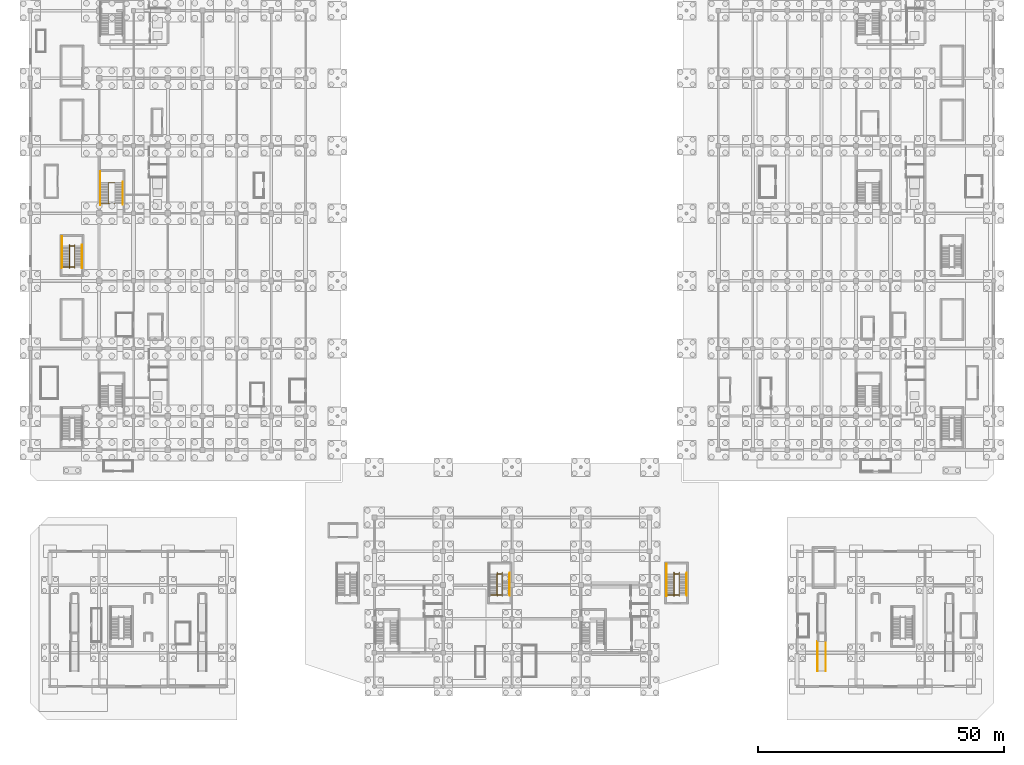
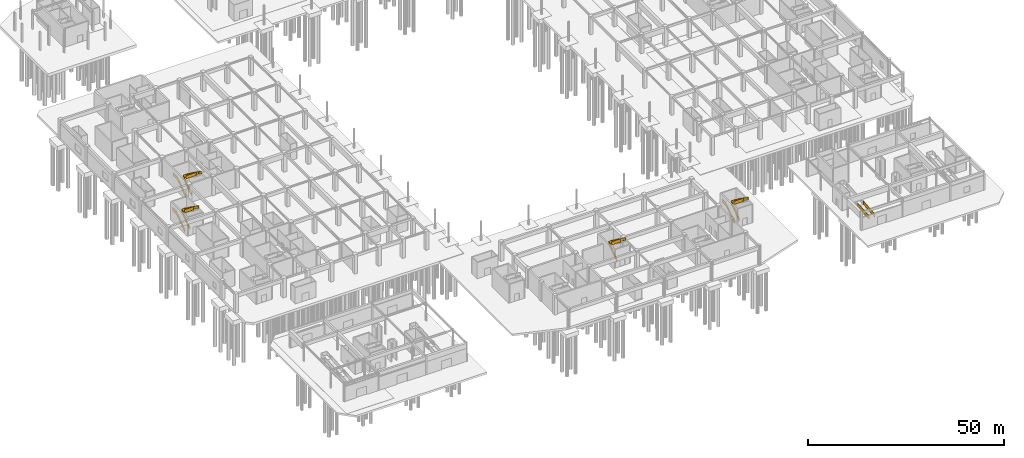
# One storey, part 57 of 62: 13 railings.
"""IFC4 building model written with IfcOpenShell, lengths in metres."""

from ifc_helpers import new_model, si_unit, direction, frame, origin, origin_2d, place, context, subcontext, project, spatial, rectangle, extrude, material, type_object, element, save


model = new_model("IFC4")

# Units and contexts
model_context = context("Model", 3, precision=1e-05, world=origin(), true_north=direction((0.0, 1.0)))
body_context = subcontext(model_context, "Body", "Model", "MODEL_VIEW")
ifc_project = project(units=[si_unit("LENGTHUNIT", "METRE"), si_unit("AREAUNIT", "SQUARE_METRE"), si_unit("VOLUMEUNIT", "CUBIC_METRE"), si_unit("PLANEANGLEUNIT", "RADIAN"), si_unit("MASSUNIT", "GRAM", prefix="KILO")], contexts=[model_context])

# Site, building, storey
site_placement = place(None, origin())
site = spatial("IfcSite", under=ifc_project, at=site_placement, CompositionType="ELEMENT")
building_placement = place(site_placement, origin())
building = spatial("IfcBuilding", under=site, at=building_placement, Name="Linyun Crest Stadium", CompositionType="ELEMENT")
storey_placement = place(building_placement, frame((0.0, 0.0, -6.0)))
storey = spatial("IfcBuildingStorey", under=building, at=storey_placement, Name="B1", CompositionType="ELEMENT", Elevation=-6.0)

# Railings
ifc_material_1 = material(Name="Painted steel stairwell safety guard", Category="steel")
railing_type_1 = type_object("IfcRailingType", Name="GR03", PredefinedType="GUARDRAIL", material=ifc_material_1)
railing_1_placement = place(storey_placement, frame((-83.77001953125, 4.114990234375, 0.0)))
element("IfcRailing", 1, at=railing_1_placement, inside=storey, type_object=railing_type_1, Name="STR-02-B1 outer guard", PredefinedType="GUARDRAIL", context=body_context, shape_type="SweptSolid", body=[
    extrude(rectangle(XDim=0.06005859375, YDim=0.06005859375, at=origin_2d()), frame((0.0, 0.0, 1.090087890625), z_axis=(0.0, 0.816967863265, 0.576683197599), x_axis=(-1.0, 0.0, 0.0)), (0.0, 0.0, 1.0), 5.2021484375),
    extrude(rectangle(XDim=0.030029296875, YDim=1.0, at=origin_2d()), frame((0.0, 0.0, 0.56005859375), z_axis=(0.0, 0.816967863265, 0.576683197599), x_axis=(-1.0, 0.0, 0.0)), (0.0, 0.0, 1.0), 5.2021484375),
    extrude(rectangle(XDim=0.06005859375, YDim=0.06005859375, at=origin_2d()), frame((0.0, 0.0, 0.030029296875), z_axis=(0.0, 0.816967863265, 0.576683197599), x_axis=(-1.0, 0.0, 0.0)), (0.0, 0.0, 1.0), 5.2021484375),
    extrude(rectangle(XDim=0.06005859375, YDim=0.06005859375, at=origin_2d()), frame((0.0, 4.25, 4.090087890625), z_axis=(0.0, 1.0, 0.0), x_axis=(-1.0, 0.0, 0.0)), (0.0, 0.0, 1.0), 2.330078125),
    extrude(rectangle(XDim=0.030029296875, YDim=1.0, at=origin_2d()), frame((0.0, 4.25, 3.56005859375), z_axis=(0.0, 1.0, 0.0), x_axis=(-1.0, 0.0, 0.0)), (0.0, 0.0, 1.0), 2.330078125),
    extrude(rectangle(XDim=0.06005859375, YDim=0.06005859375, at=origin_2d()), frame((0.0, 4.25, 3.030029296875), z_axis=(0.0, 1.0, 0.0), x_axis=(-1.0, 0.0, 0.0)), (0.0, 0.0, 1.0), 2.330078125),
    extrude(rectangle(XDim=0.050048828125, YDim=0.050048828125, at=origin_2d()), origin(), (0.0, 0.0, 1.0), 1.1201171875),
    extrude(rectangle(XDim=0.050048828125, YDim=0.050048828125, at=origin_2d()), frame((0.0, 1.416748046875, 1.0)), (0.0, 0.0, 1.0), 1.1201171875),
    extrude(rectangle(XDim=0.050048828125, YDim=0.050048828125, at=origin_2d()), frame((0.0, 2.833251953125, 2.0)), (0.0, 0.0, 1.0), 1.1201171875),
    extrude(rectangle(XDim=0.050048828125, YDim=0.050048828125, at=origin_2d()), frame((0.0, 4.25, 3.0)), (0.0, 0.0, 1.0), 1.1201171875),
    extrude(rectangle(XDim=0.050048828125, YDim=0.050048828125, at=origin_2d()), frame((0.0, 5.4150390625, 3.0)), (0.0, 0.0, 1.0), 1.1201171875),
    extrude(rectangle(XDim=0.050048828125, YDim=0.050048828125, at=origin_2d()), frame((0.0, 6.580078125, 3.0)), (0.0, 0.0, 1.0), 1.1201171875),
])
railing_2_placement = place(storey_placement, frame((-82.1298828125, 4.094970703125, 0.0)))
element("IfcRailing", 2, at=railing_2_placement, inside=storey, type_object=railing_type_1, Name="STR-02-B1 inner well guard", PredefinedType="GUARDRAIL", context=body_context, shape_type="SweptSolid", body=[
    extrude(rectangle(XDim=0.06005859375, YDim=0.06005859375, at=origin_2d()), frame((0.0, 0.0, 1.090087890625), z_axis=(0.0, 0.818241657069, 0.574874412926), x_axis=(-1.0, 0.0, 0.0)), (0.0, 0.0, 1.0), 5.218505859375),
    extrude(rectangle(XDim=0.030029296875, YDim=1.0, at=origin_2d()), frame((0.0, 0.0, 0.56005859375), z_axis=(0.0, 0.818241657069, 0.574874412926), x_axis=(-1.0, 0.0, 0.0)), (0.0, 0.0, 1.0), 5.218505859375),
    extrude(rectangle(XDim=0.06005859375, YDim=0.06005859375, at=origin_2d()), frame((0.0, 0.0, 0.030029296875), z_axis=(0.0, 0.818241657069, 0.574874412926), x_axis=(-1.0, 0.0, 0.0)), (0.0, 0.0, 1.0), 5.218505859375),
    extrude(rectangle(XDim=0.06005859375, YDim=0.06005859375, at=origin_2d()), frame((0.0, 4.27001953125, 4.090087890625), z_axis=(1.0, 0.0, 0.0), x_axis=(0.0, 1.0, 0.0)), (0.0, 0.0, 1.0), 1.35986328125),
    extrude(rectangle(XDim=0.030029296875, YDim=1.0, at=origin_2d()), frame((0.0, 4.27001953125, 3.56005859375), z_axis=(1.0, 0.0, 0.0), x_axis=(0.0, 1.0, 0.0)), (0.0, 0.0, 1.0), 1.35986328125),
    extrude(rectangle(XDim=0.06005859375, YDim=0.06005859375, at=origin_2d()), frame((0.0, 4.27001953125, 3.030029296875), z_axis=(1.0, 0.0, 0.0), x_axis=(0.0, 1.0, 0.0)), (0.0, 0.0, 1.0), 1.35986328125),
    extrude(rectangle(XDim=0.06005859375, YDim=0.06005859375, at=origin_2d()), frame((1.35986328125, 4.27001953125, 4.090087890625), z_axis=(0.0, -0.818241657069, 0.574874412926), x_axis=(1.0, 0.0, 0.0)), (0.0, 0.0, 1.0), 5.218505859375),
    extrude(rectangle(XDim=0.030029296875, YDim=1.0, at=origin_2d()), frame((1.35986328125, 4.27001953125, 3.56005859375), z_axis=(0.0, -0.818241657069, 0.574874412926), x_axis=(1.0, 0.0, 0.0)), (0.0, 0.0, 1.0), 5.218505859375),
    extrude(rectangle(XDim=0.06005859375, YDim=0.06005859375, at=origin_2d()), frame((1.35986328125, 4.27001953125, 3.030029296875), z_axis=(0.0, -0.818241657069, 0.574874412926), x_axis=(1.0, 0.0, 0.0)), (0.0, 0.0, 1.0), 5.218505859375),
    extrude(rectangle(XDim=0.06005859375, YDim=0.06005859375, at=origin_2d()), frame((1.35986328125, 0.0, 7.090087890625), z_axis=(-1.0, 0.0, 0.0), x_axis=(0.0, -1.0, 0.0)), (0.0, 0.0, 1.0), 3.010009765625),
    extrude(rectangle(XDim=0.030029296875, YDim=1.0, at=origin_2d()), frame((1.35986328125, 0.0, 6.56005859375), z_axis=(-1.0, 0.0, 0.0), x_axis=(0.0, -1.0, 0.0)), (0.0, 0.0, 1.0), 3.010009765625),
    extrude(rectangle(XDim=0.06005859375, YDim=0.06005859375, at=origin_2d()), frame((1.35986328125, 0.0, 6.030029296875), z_axis=(-1.0, 0.0, 0.0), x_axis=(0.0, -1.0, 0.0)), (0.0, 0.0, 1.0), 3.010009765625),
    extrude(rectangle(XDim=0.050048828125, YDim=0.050048828125, at=origin_2d()), origin(), (0.0, 0.0, 1.0), 1.1201171875),
    extrude(rectangle(XDim=0.050048828125, YDim=0.050048828125, at=origin_2d()), frame((0.0, 1.42333984375, 1.0)), (0.0, 0.0, 1.0), 1.1201171875),
    extrude(rectangle(XDim=0.050048828125, YDim=0.050048828125, at=origin_2d()), frame((0.0, 2.8466796875, 2.0)), (0.0, 0.0, 1.0), 1.1201171875),
    extrude(rectangle(XDim=0.050048828125, YDim=0.050048828125, at=origin_2d()), frame((0.0, 4.27001953125, 3.0)), (0.0, 0.0, 1.0), 1.1201171875),
    extrude(rectangle(XDim=0.050048828125, YDim=0.050048828125, at=origin_2d()), frame((1.35986328125, 4.27001953125, 3.0)), (0.0, 0.0, 1.0), 1.1201171875),
    extrude(rectangle(XDim=0.050048828125, YDim=0.050048828125, at=origin_2d()), frame((1.35986328125, 2.8466796875, 4.0)), (0.0, 0.0, 1.0), 1.1201171875),
    extrude(rectangle(XDim=0.050048828125, YDim=0.050048828125, at=origin_2d()), frame((1.35986328125, 1.42333984375, 5.0)), (0.0, 0.0, 1.0), 1.1201171875),
    extrude(rectangle(XDim=0.050048828125, YDim=0.050048828125, at=origin_2d()), frame((1.35986328125, 0.0, 6.0)), (0.0, 0.0, 1.0), 1.1201171875),
    extrude(rectangle(XDim=0.050048828125, YDim=0.050048828125, at=origin_2d()), frame((-0.14501953125, 0.0, 6.0)), (0.0, 0.0, 1.0), 1.1201171875),
    extrude(rectangle(XDim=0.050048828125, YDim=0.050048828125, at=origin_2d()), frame((-1.650146484375, 0.0, 6.0)), (0.0, 0.0, 1.0), 1.1201171875),
])
railing_3_placement = place(storey_placement, frame((-91.570068359375, -8.780029296875, 0.0)))
element("IfcRailing", 3, at=railing_3_placement, inside=storey, type_object=railing_type_1, Name="STR-15-B1 outer guard", PredefinedType="GUARDRAIL", context=body_context, shape_type="SweptSolid", body=[
    extrude(rectangle(XDim=0.06005859375, YDim=0.06005859375, at=origin_2d()), frame((0.0, 0.0, 1.090087890625), z_axis=(0.0, 0.816967863265, 0.576683197599), x_axis=(-1.0, 0.0, 0.0)), (0.0, 0.0, 1.0), 5.2021484375),
    extrude(rectangle(XDim=0.030029296875, YDim=1.0, at=origin_2d()), frame((0.0, 0.0, 0.56005859375), z_axis=(0.0, 0.816967863265, 0.576683197599), x_axis=(-1.0, 0.0, 0.0)), (0.0, 0.0, 1.0), 5.2021484375),
    extrude(rectangle(XDim=0.06005859375, YDim=0.06005859375, at=origin_2d()), frame((0.0, 0.0, 0.030029296875), z_axis=(0.0, 0.816967863265, 0.576683197599), x_axis=(-1.0, 0.0, 0.0)), (0.0, 0.0, 1.0), 5.2021484375),
    extrude(rectangle(XDim=0.06005859375, YDim=0.06005859375, at=origin_2d()), frame((0.0, 4.25, 4.090087890625), z_axis=(0.0, 1.0, 0.0), x_axis=(-1.0, 0.0, 0.0)), (0.0, 0.0, 1.0), 2.0),
    extrude(rectangle(XDim=0.030029296875, YDim=1.0, at=origin_2d()), frame((0.0, 4.25, 3.56005859375), z_axis=(0.0, 1.0, 0.0), x_axis=(-1.0, 0.0, 0.0)), (0.0, 0.0, 1.0), 2.0),
    extrude(rectangle(XDim=0.06005859375, YDim=0.06005859375, at=origin_2d()), frame((0.0, 4.25, 3.030029296875), z_axis=(0.0, 1.0, 0.0), x_axis=(-1.0, 0.0, 0.0)), (0.0, 0.0, 1.0), 2.0),
    extrude(rectangle(XDim=0.050048828125, YDim=0.050048828125, at=origin_2d()), origin(), (0.0, 0.0, 1.0), 1.1201171875),
    extrude(rectangle(XDim=0.050048828125, YDim=0.050048828125, at=origin_2d()), frame((0.0, 1.416748046875, 1.0)), (0.0, 0.0, 1.0), 1.1201171875),
    extrude(rectangle(XDim=0.050048828125, YDim=0.050048828125, at=origin_2d()), frame((0.0, 2.833251953125, 2.0)), (0.0, 0.0, 1.0), 1.1201171875),
    extrude(rectangle(XDim=0.050048828125, YDim=0.050048828125, at=origin_2d()), frame((0.0, 4.25, 3.0)), (0.0, 0.0, 1.0), 1.1201171875),
    extrude(rectangle(XDim=0.050048828125, YDim=0.050048828125, at=origin_2d()), frame((0.0, 6.25, 3.0)), (0.0, 0.0, 1.0), 1.1201171875),
])
railing_4_placement = place(storey_placement, frame((-90.030029296875, -8.800048828125, 0.0)))
element("IfcRailing", 4, at=railing_4_placement, inside=storey, type_object=railing_type_1, Name="STR-15-B1 inner well guard", PredefinedType="GUARDRAIL", context=body_context, shape_type="SweptSolid", body=[
    extrude(rectangle(XDim=0.06005859375, YDim=0.06005859375, at=origin_2d()), frame((0.0, 0.0, 1.090087890625), z_axis=(0.0, 0.818241657069, 0.574874412926), x_axis=(-1.0, 0.0, 0.0)), (0.0, 0.0, 1.0), 5.218505859375),
    extrude(rectangle(XDim=0.030029296875, YDim=1.0, at=origin_2d()), frame((0.0, 0.0, 0.56005859375), z_axis=(0.0, 0.818241657069, 0.574874412926), x_axis=(-1.0, 0.0, 0.0)), (0.0, 0.0, 1.0), 5.218505859375),
    extrude(rectangle(XDim=0.06005859375, YDim=0.06005859375, at=origin_2d()), frame((0.0, 0.0, 0.030029296875), z_axis=(0.0, 0.818241657069, 0.574874412926), x_axis=(-1.0, 0.0, 0.0)), (0.0, 0.0, 1.0), 5.218505859375),
    extrude(rectangle(XDim=0.06005859375, YDim=0.06005859375, at=origin_2d()), frame((0.0, 4.27001953125, 4.090087890625), z_axis=(1.0, 0.0, 0.0), x_axis=(0.0, 1.0, 0.0)), (0.0, 0.0, 1.0), 1.06005859375),
    extrude(rectangle(XDim=0.030029296875, YDim=1.0, at=origin_2d()), frame((0.0, 4.27001953125, 3.56005859375), z_axis=(1.0, 0.0, 0.0), x_axis=(0.0, 1.0, 0.0)), (0.0, 0.0, 1.0), 1.06005859375),
    extrude(rectangle(XDim=0.06005859375, YDim=0.06005859375, at=origin_2d()), frame((0.0, 4.27001953125, 3.030029296875), z_axis=(1.0, 0.0, 0.0), x_axis=(0.0, 1.0, 0.0)), (0.0, 0.0, 1.0), 1.06005859375),
    extrude(rectangle(XDim=0.06005859375, YDim=0.06005859375, at=origin_2d()), frame((1.06005859375, 4.27001953125, 4.090087890625), z_axis=(0.0, -0.818241657069, 0.574874412926), x_axis=(1.0, 0.0, 0.0)), (0.0, 0.0, 1.0), 5.218505859375),
    extrude(rectangle(XDim=0.030029296875, YDim=1.0, at=origin_2d()), frame((1.06005859375, 4.27001953125, 3.56005859375), z_axis=(0.0, -0.818241657069, 0.574874412926), x_axis=(1.0, 0.0, 0.0)), (0.0, 0.0, 1.0), 5.218505859375),
    extrude(rectangle(XDim=0.06005859375, YDim=0.06005859375, at=origin_2d()), frame((1.06005859375, 4.27001953125, 3.030029296875), z_axis=(0.0, -0.818241657069, 0.574874412926), x_axis=(1.0, 0.0, 0.0)), (0.0, 0.0, 1.0), 5.218505859375),
    extrude(rectangle(XDim=0.06005859375, YDim=0.06005859375, at=origin_2d()), frame((1.06005859375, 0.0, 7.090087890625), z_axis=(-1.0, 0.0, 0.0), x_axis=(0.0, -1.0, 0.0)), (0.0, 0.0, 1.0), 2.610107421875),
    extrude(rectangle(XDim=0.030029296875, YDim=1.0, at=origin_2d()), frame((1.06005859375, 0.0, 6.56005859375), z_axis=(-1.0, 0.0, 0.0), x_axis=(0.0, -1.0, 0.0)), (0.0, 0.0, 1.0), 2.610107421875),
    extrude(rectangle(XDim=0.06005859375, YDim=0.06005859375, at=origin_2d()), frame((1.06005859375, 0.0, 6.030029296875), z_axis=(-1.0, 0.0, 0.0), x_axis=(0.0, -1.0, 0.0)), (0.0, 0.0, 1.0), 2.610107421875),
    extrude(rectangle(XDim=0.050048828125, YDim=0.050048828125, at=origin_2d()), origin(), (0.0, 0.0, 1.0), 1.1201171875),
    extrude(rectangle(XDim=0.050048828125, YDim=0.050048828125, at=origin_2d()), frame((0.0, 1.42333984375, 1.0)), (0.0, 0.0, 1.0), 1.1201171875),
    extrude(rectangle(XDim=0.050048828125, YDim=0.050048828125, at=origin_2d()), frame((0.0, 2.8466796875, 2.0)), (0.0, 0.0, 1.0), 1.1201171875),
    extrude(rectangle(XDim=0.050048828125, YDim=0.050048828125, at=origin_2d()), frame((0.0, 4.27001953125, 3.0)), (0.0, 0.0, 1.0), 1.1201171875),
    extrude(rectangle(XDim=0.050048828125, YDim=0.050048828125, at=origin_2d()), frame((1.06005859375, 4.27001953125, 3.0)), (0.0, 0.0, 1.0), 1.1201171875),
    extrude(rectangle(XDim=0.050048828125, YDim=0.050048828125, at=origin_2d()), frame((1.06005859375, 2.8466796875, 4.0)), (0.0, 0.0, 1.0), 1.1201171875),
    extrude(rectangle(XDim=0.050048828125, YDim=0.050048828125, at=origin_2d()), frame((1.06005859375, 1.42333984375, 5.0)), (0.0, 0.0, 1.0), 1.1201171875),
    extrude(rectangle(XDim=0.050048828125, YDim=0.050048828125, at=origin_2d()), frame((1.06005859375, 0.0, 6.0)), (0.0, 0.0, 1.0), 1.1201171875),
    extrude(rectangle(XDim=0.050048828125, YDim=0.050048828125, at=origin_2d()), frame((-0.2451171875, 0.0, 6.0)), (0.0, 0.0, 1.0), 1.1201171875),
    extrude(rectangle(XDim=0.050048828125, YDim=0.050048828125, at=origin_2d()), frame((-1.550048828125, 0.0, 6.0)), (0.0, 0.0, 1.0), 1.1201171875),
])
railing_5_placement = place(storey_placement, frame((-3.030029296875, -75.5, 0.0)))
element("IfcRailing", 5, at=railing_5_placement, inside=storey, type_object=railing_type_1, Name="STR-28-B1 inner well guard", PredefinedType="GUARDRAIL", context=body_context, shape_type="SweptSolid", body=[
    extrude(rectangle(XDim=0.06005859375, YDim=0.06005859375, at=origin_2d()), frame((0.0, 0.0, 1.090087890625), z_axis=(0.0, 0.818241657069, 0.574874412926), x_axis=(-1.0, 0.0, 0.0)), (0.0, 0.0, 1.0), 5.218505859375),
    extrude(rectangle(XDim=0.030029296875, YDim=1.0, at=origin_2d()), frame((0.0, 0.0, 0.56005859375), z_axis=(0.0, 0.818241657069, 0.574874412926), x_axis=(-1.0, 0.0, 0.0)), (0.0, 0.0, 1.0), 5.218505859375),
    extrude(rectangle(XDim=0.06005859375, YDim=0.06005859375, at=origin_2d()), frame((0.0, 0.0, 0.030029296875), z_axis=(0.0, 0.818241657069, 0.574874412926), x_axis=(-1.0, 0.0, 0.0)), (0.0, 0.0, 1.0), 5.218505859375),
    extrude(rectangle(XDim=0.06005859375, YDim=0.06005859375, at=origin_2d()), frame((0.0, 4.27001953125, 4.090087890625), z_axis=(1.0, 0.0, 0.0), x_axis=(0.0, 1.0, 0.0)), (0.0, 0.0, 1.0), 1.06005859375),
    extrude(rectangle(XDim=0.030029296875, YDim=1.0, at=origin_2d()), frame((0.0, 4.27001953125, 3.56005859375), z_axis=(1.0, 0.0, 0.0), x_axis=(0.0, 1.0, 0.0)), (0.0, 0.0, 1.0), 1.06005859375),
    extrude(rectangle(XDim=0.06005859375, YDim=0.06005859375, at=origin_2d()), frame((0.0, 4.27001953125, 3.030029296875), z_axis=(1.0, 0.0, 0.0), x_axis=(0.0, 1.0, 0.0)), (0.0, 0.0, 1.0), 1.06005859375),
    extrude(rectangle(XDim=0.06005859375, YDim=0.06005859375, at=origin_2d()), frame((1.06005859375, 4.27001953125, 4.090087890625), z_axis=(0.0, -0.818241657069, 0.574874412926), x_axis=(1.0, 0.0, 0.0)), (0.0, 0.0, 1.0), 5.218505859375),
    extrude(rectangle(XDim=0.030029296875, YDim=1.0, at=origin_2d()), frame((1.06005859375, 4.27001953125, 3.56005859375), z_axis=(0.0, -0.818241657069, 0.574874412926), x_axis=(1.0, 0.0, 0.0)), (0.0, 0.0, 1.0), 5.218505859375),
    extrude(rectangle(XDim=0.06005859375, YDim=0.06005859375, at=origin_2d()), frame((1.06005859375, 4.27001953125, 3.030029296875), z_axis=(0.0, -0.818241657069, 0.574874412926), x_axis=(1.0, 0.0, 0.0)), (0.0, 0.0, 1.0), 5.218505859375),
    extrude(rectangle(XDim=0.06005859375, YDim=0.06005859375, at=origin_2d()), frame((1.06005859375, 0.0, 7.090087890625), z_axis=(-1.0, 0.0, 0.0), x_axis=(0.0, -1.0, 0.0)), (0.0, 0.0, 1.0), 2.610107421875),
    extrude(rectangle(XDim=0.030029296875, YDim=1.0, at=origin_2d()), frame((1.06005859375, 0.0, 6.56005859375), z_axis=(-1.0, 0.0, 0.0), x_axis=(0.0, -1.0, 0.0)), (0.0, 0.0, 1.0), 2.610107421875),
    extrude(rectangle(XDim=0.06005859375, YDim=0.06005859375, at=origin_2d()), frame((1.06005859375, 0.0, 6.030029296875), z_axis=(-1.0, 0.0, 0.0), x_axis=(0.0, -1.0, 0.0)), (0.0, 0.0, 1.0), 2.610107421875),
    extrude(rectangle(XDim=0.050048828125, YDim=0.050048828125, at=origin_2d()), origin(), (0.0, 0.0, 1.0), 1.1201171875),
    extrude(rectangle(XDim=0.050048828125, YDim=0.050048828125, at=origin_2d()), frame((0.0, 1.42333984375, 1.0)), (0.0, 0.0, 1.0), 1.1201171875),
    extrude(rectangle(XDim=0.050048828125, YDim=0.050048828125, at=origin_2d()), frame((0.0, 2.8466796875, 2.0)), (0.0, 0.0, 1.0), 1.1201171875),
    extrude(rectangle(XDim=0.050048828125, YDim=0.050048828125, at=origin_2d()), frame((0.0, 4.27001953125, 3.0)), (0.0, 0.0, 1.0), 1.1201171875),
    extrude(rectangle(XDim=0.050048828125, YDim=0.050048828125, at=origin_2d()), frame((1.06005859375, 4.27001953125, 3.0)), (0.0, 0.0, 1.0), 1.1201171875),
    extrude(rectangle(XDim=0.050048828125, YDim=0.050048828125, at=origin_2d()), frame((1.06005859375, 2.8466796875, 4.0)), (0.0, 0.0, 1.0), 1.1201171875),
    extrude(rectangle(XDim=0.050048828125, YDim=0.050048828125, at=origin_2d()), frame((1.06005859375, 1.42333984375, 5.0)), (0.0, 0.0, 1.0), 1.1201171875),
    extrude(rectangle(XDim=0.050048828125, YDim=0.050048828125, at=origin_2d()), frame((1.06005859375, 0.0, 6.0)), (0.0, 0.0, 1.0), 1.1201171875),
    extrude(rectangle(XDim=0.050048828125, YDim=0.050048828125, at=origin_2d()), frame((-0.2451171875, 0.0, 6.0)), (0.0, 0.0, 1.0), 1.1201171875),
    extrude(rectangle(XDim=0.050048828125, YDim=0.050048828125, at=origin_2d()), frame((-1.550048828125, 0.0, 6.0)), (0.0, 0.0, 1.0), 1.1201171875),
])
railing_6_placement = place(storey_placement, frame((31.429931640625, -75.47998046875, 0.0)))
element("IfcRailing", 6, at=railing_6_placement, inside=storey, type_object=railing_type_1, Name="STR-29-B1 outer guard", PredefinedType="GUARDRAIL", context=body_context, shape_type="SweptSolid", body=[
    extrude(rectangle(XDim=0.06005859375, YDim=0.06005859375, at=origin_2d()), frame((0.0, 0.0, 1.090087890625), z_axis=(0.0, 0.816967863265, 0.576683197599), x_axis=(-1.0, 0.0, 0.0)), (0.0, 0.0, 1.0), 5.2021484375),
    extrude(rectangle(XDim=0.030029296875, YDim=1.0, at=origin_2d()), frame((0.0, 0.0, 0.56005859375), z_axis=(0.0, 0.816967863265, 0.576683197599), x_axis=(-1.0, 0.0, 0.0)), (0.0, 0.0, 1.0), 5.2021484375),
    extrude(rectangle(XDim=0.06005859375, YDim=0.06005859375, at=origin_2d()), frame((0.0, 0.0, 0.030029296875), z_axis=(0.0, 0.816967863265, 0.576683197599), x_axis=(-1.0, 0.0, 0.0)), (0.0, 0.0, 1.0), 5.2021484375),
    extrude(rectangle(XDim=0.06005859375, YDim=0.06005859375, at=origin_2d()), frame((0.0, 4.25, 4.090087890625), z_axis=(0.0, 1.0, 0.0), x_axis=(-1.0, 0.0, 0.0)), (0.0, 0.0, 1.0), 2.0),
    extrude(rectangle(XDim=0.030029296875, YDim=1.0, at=origin_2d()), frame((0.0, 4.25, 3.56005859375), z_axis=(0.0, 1.0, 0.0), x_axis=(-1.0, 0.0, 0.0)), (0.0, 0.0, 1.0), 2.0),
    extrude(rectangle(XDim=0.06005859375, YDim=0.06005859375, at=origin_2d()), frame((0.0, 4.25, 3.030029296875), z_axis=(0.0, 1.0, 0.0), x_axis=(-1.0, 0.0, 0.0)), (0.0, 0.0, 1.0), 2.0),
    extrude(rectangle(XDim=0.050048828125, YDim=0.050048828125, at=origin_2d()), origin(), (0.0, 0.0, 1.0), 1.1201171875),
    extrude(rectangle(XDim=0.050048828125, YDim=0.050048828125, at=origin_2d()), frame((0.0, 1.416748046875, 1.0)), (0.0, 0.0, 1.0), 1.1201171875),
    extrude(rectangle(XDim=0.050048828125, YDim=0.050048828125, at=origin_2d()), frame((0.0, 2.833251953125, 2.0)), (0.0, 0.0, 1.0), 1.1201171875),
    extrude(rectangle(XDim=0.050048828125, YDim=0.050048828125, at=origin_2d()), frame((0.0, 4.25, 3.0)), (0.0, 0.0, 1.0), 1.1201171875),
    extrude(rectangle(XDim=0.050048828125, YDim=0.050048828125, at=origin_2d()), frame((0.0, 6.25, 3.0)), (0.0, 0.0, 1.0), 1.1201171875),
])
railing_7_placement = place(storey_placement, frame((32.969970703125, -75.5, 0.0)))
element("IfcRailing", 7, at=railing_7_placement, inside=storey, type_object=railing_type_1, Name="STR-29-B1 inner well guard", PredefinedType="GUARDRAIL", context=body_context, shape_type="SweptSolid", body=[
    extrude(rectangle(XDim=0.06005859375, YDim=0.06005859375, at=origin_2d()), frame((0.0, 0.0, 1.090087890625), z_axis=(0.0, 0.818241657069, 0.574874412926), x_axis=(-1.0, 0.0, 0.0)), (0.0, 0.0, 1.0), 5.218505859375),
    extrude(rectangle(XDim=0.030029296875, YDim=1.0, at=origin_2d()), frame((0.0, 0.0, 0.56005859375), z_axis=(0.0, 0.818241657069, 0.574874412926), x_axis=(-1.0, 0.0, 0.0)), (0.0, 0.0, 1.0), 5.218505859375),
    extrude(rectangle(XDim=0.06005859375, YDim=0.06005859375, at=origin_2d()), frame((0.0, 0.0, 0.030029296875), z_axis=(0.0, 0.818241657069, 0.574874412926), x_axis=(-1.0, 0.0, 0.0)), (0.0, 0.0, 1.0), 5.218505859375),
    extrude(rectangle(XDim=0.06005859375, YDim=0.06005859375, at=origin_2d()), frame((0.0, 4.27001953125, 4.090087890625), z_axis=(1.0, 0.0, 0.0), x_axis=(0.0, 1.0, 0.0)), (0.0, 0.0, 1.0), 1.06005859375),
    extrude(rectangle(XDim=0.030029296875, YDim=1.0, at=origin_2d()), frame((0.0, 4.27001953125, 3.56005859375), z_axis=(1.0, 0.0, 0.0), x_axis=(0.0, 1.0, 0.0)), (0.0, 0.0, 1.0), 1.06005859375),
    extrude(rectangle(XDim=0.06005859375, YDim=0.06005859375, at=origin_2d()), frame((0.0, 4.27001953125, 3.030029296875), z_axis=(1.0, 0.0, 0.0), x_axis=(0.0, 1.0, 0.0)), (0.0, 0.0, 1.0), 1.06005859375),
    extrude(rectangle(XDim=0.06005859375, YDim=0.06005859375, at=origin_2d()), frame((1.06005859375, 4.27001953125, 4.090087890625), z_axis=(0.0, -0.818241657069, 0.574874412926), x_axis=(1.0, 0.0, 0.0)), (0.0, 0.0, 1.0), 5.218505859375),
    extrude(rectangle(XDim=0.030029296875, YDim=1.0, at=origin_2d()), frame((1.06005859375, 4.27001953125, 3.56005859375), z_axis=(0.0, -0.818241657069, 0.574874412926), x_axis=(1.0, 0.0, 0.0)), (0.0, 0.0, 1.0), 5.218505859375),
    extrude(rectangle(XDim=0.06005859375, YDim=0.06005859375, at=origin_2d()), frame((1.06005859375, 4.27001953125, 3.030029296875), z_axis=(0.0, -0.818241657069, 0.574874412926), x_axis=(1.0, 0.0, 0.0)), (0.0, 0.0, 1.0), 5.218505859375),
    extrude(rectangle(XDim=0.06005859375, YDim=0.06005859375, at=origin_2d()), frame((1.06005859375, 0.0, 7.090087890625), z_axis=(-1.0, 0.0, 0.0), x_axis=(0.0, -1.0, 0.0)), (0.0, 0.0, 1.0), 2.610107421875),
    extrude(rectangle(XDim=0.030029296875, YDim=1.0, at=origin_2d()), frame((1.06005859375, 0.0, 6.56005859375), z_axis=(-1.0, 0.0, 0.0), x_axis=(0.0, -1.0, 0.0)), (0.0, 0.0, 1.0), 2.610107421875),
    extrude(rectangle(XDim=0.06005859375, YDim=0.06005859375, at=origin_2d()), frame((1.06005859375, 0.0, 6.030029296875), z_axis=(-1.0, 0.0, 0.0), x_axis=(0.0, -1.0, 0.0)), (0.0, 0.0, 1.0), 2.610107421875),
    extrude(rectangle(XDim=0.050048828125, YDim=0.050048828125, at=origin_2d()), origin(), (0.0, 0.0, 1.0), 1.1201171875),
    extrude(rectangle(XDim=0.050048828125, YDim=0.050048828125, at=origin_2d()), frame((0.0, 1.42333984375, 1.0)), (0.0, 0.0, 1.0), 1.1201171875),
    extrude(rectangle(XDim=0.050048828125, YDim=0.050048828125, at=origin_2d()), frame((0.0, 2.8466796875, 2.0)), (0.0, 0.0, 1.0), 1.1201171875),
    extrude(rectangle(XDim=0.050048828125, YDim=0.050048828125, at=origin_2d()), frame((0.0, 4.27001953125, 3.0)), (0.0, 0.0, 1.0), 1.1201171875),
    extrude(rectangle(XDim=0.050048828125, YDim=0.050048828125, at=origin_2d()), frame((1.06005859375, 4.27001953125, 3.0)), (0.0, 0.0, 1.0), 1.1201171875),
    extrude(rectangle(XDim=0.050048828125, YDim=0.050048828125, at=origin_2d()), frame((1.06005859375, 2.8466796875, 4.0)), (0.0, 0.0, 1.0), 1.1201171875),
    extrude(rectangle(XDim=0.050048828125, YDim=0.050048828125, at=origin_2d()), frame((1.06005859375, 1.42333984375, 5.0)), (0.0, 0.0, 1.0), 1.1201171875),
    extrude(rectangle(XDim=0.050048828125, YDim=0.050048828125, at=origin_2d()), frame((1.06005859375, 0.0, 6.0)), (0.0, 0.0, 1.0), 1.1201171875),
    extrude(rectangle(XDim=0.050048828125, YDim=0.050048828125, at=origin_2d()), frame((-0.2451171875, 0.0, 6.0)), (0.0, 0.0, 1.0), 1.1201171875),
    extrude(rectangle(XDim=0.050048828125, YDim=0.050048828125, at=origin_2d()), frame((-1.550048828125, 0.0, 6.0)), (0.0, 0.0, 1.0), 1.1201171875),
])
for number, where, name in (
    (8, (62.14990234375, -91.0, 0.0), "RMP-03 guard 1W"),
    (9, (63.85009765625, -91.0, 0.0), "RMP-03 guard 1E"),
):
    element("IfcRailing", number, at=place(storey_placement, frame(where)), inside=storey, type_object=railing_type_1, Name=name, PredefinedType="GUARDRAIL", context=body_context, shape_type="SweptSolid", body=[
        extrude(rectangle(XDim=0.06005859375, YDim=0.06005859375, at=origin_2d()), frame((0.0, 0.0, 1.090087890625), z_axis=(0.0, 0.996545758245, 0.083045479854), x_axis=(-1.0, 0.0, 0.0)), (0.0, 0.0, 1.0), 6.020751953125),
        extrude(rectangle(XDim=0.030029296875, YDim=1.0, at=origin_2d()), frame((0.0, 0.0, 0.56005859375), z_axis=(0.0, 0.996545758245, 0.083045479854), x_axis=(-1.0, 0.0, 0.0)), (0.0, 0.0, 1.0), 6.020751953125),
        extrude(rectangle(XDim=0.06005859375, YDim=0.06005859375, at=origin_2d()), frame((0.0, 0.0, 0.030029296875), z_axis=(0.0, 0.996545758245, 0.083045479854), x_axis=(-1.0, 0.0, 0.0)), (0.0, 0.0, 1.0), 6.020751953125),
        extrude(rectangle(XDim=0.050048828125, YDim=0.050048828125, at=origin_2d()), origin(), (0.0, 0.0, 1.0), 1.1201171875),
        extrude(rectangle(XDim=0.050048828125, YDim=0.050048828125, at=origin_2d()), frame((0.0, 2.0, 0.166748046875)), (0.0, 0.0, 1.0), 1.1201171875),
        extrude(rectangle(XDim=0.050048828125, YDim=0.050048828125, at=origin_2d()), frame((0.0, 4.0, 0.333251953125)), (0.0, 0.0, 1.0), 1.1201171875),
        extrude(rectangle(XDim=0.050048828125, YDim=0.050048828125, at=origin_2d()), frame((0.0, 6.0, 0.5)), (0.0, 0.0, 1.0), 1.1201171875),
    ])
ifc_material_2 = material(Name="Brushed stainless steel tubular handrail", Category="steel")
railing_type_2 = type_object("IfcRailingType", Name="HR01", PredefinedType="HANDRAIL", material=ifc_material_2)
for number, where, name in (
    (10, (-79.179931640625, 8.364990234375, 3.0), "STR-02-B1 handrail"),
    (11, (-87.47998046875, -4.530029296875, 3.0), "STR-15-B1 handrail"),
    (12, (-0.47998046875, -71.22998046875, 3.0), "STR-28-B1 handrail"),
    (13, (35.52001953125, -71.22998046875, 3.0), "STR-29-B1 handrail"),
):
    element("IfcRailing", number, at=place(storey_placement, frame(where)), inside=storey, type_object=railing_type_2, Name=name, PredefinedType="HANDRAIL", context=body_context, shape_type="SweptSolid", body=[
        extrude(rectangle(XDim=0.06005859375, YDim=0.06005859375, at=origin_2d()), frame((0.0, 0.0, 0.889892578125), z_axis=(0.0, -0.816967863265, 0.576683197599), x_axis=(1.0, 0.0, 0.0)), (0.0, 0.0, 1.0), 5.2021484375),
        extrude(rectangle(XDim=0.030029296875, YDim=0.7998046875, at=origin_2d()), frame((0.0, 0.0, 0.4599609375), z_axis=(0.0, -0.816967863265, 0.576683197599), x_axis=(1.0, 0.0, 0.0)), (0.0, 0.0, 1.0), 5.2021484375),
        extrude(rectangle(XDim=0.06005859375, YDim=0.06005859375, at=origin_2d()), frame((0.0, 0.0, 0.030029296875), z_axis=(0.0, -0.816967863265, 0.576683197599), x_axis=(1.0, 0.0, 0.0)), (0.0, 0.0, 1.0), 5.2021484375),
        extrude(rectangle(XDim=0.050048828125, YDim=0.050048828125, at=origin_2d()), origin(), (0.0, 0.0, 1.0), 0.919921875),
        extrude(rectangle(XDim=0.050048828125, YDim=0.050048828125, at=origin_2d()), frame((0.0, -1.416748046875, 1.0)), (0.0, 0.0, 1.0), 0.919921875),
        extrude(rectangle(XDim=0.050048828125, YDim=0.050048828125, at=origin_2d()), frame((0.0, -2.833251953125, 2.0)), (0.0, 0.0, 1.0), 0.919921875),
        extrude(rectangle(XDim=0.050048828125, YDim=0.050048828125, at=origin_2d()), frame((0.0, -4.25, 3.0)), (0.0, 0.0, 1.0), 0.919921875),
    ])

save(model, "model.ifc")
